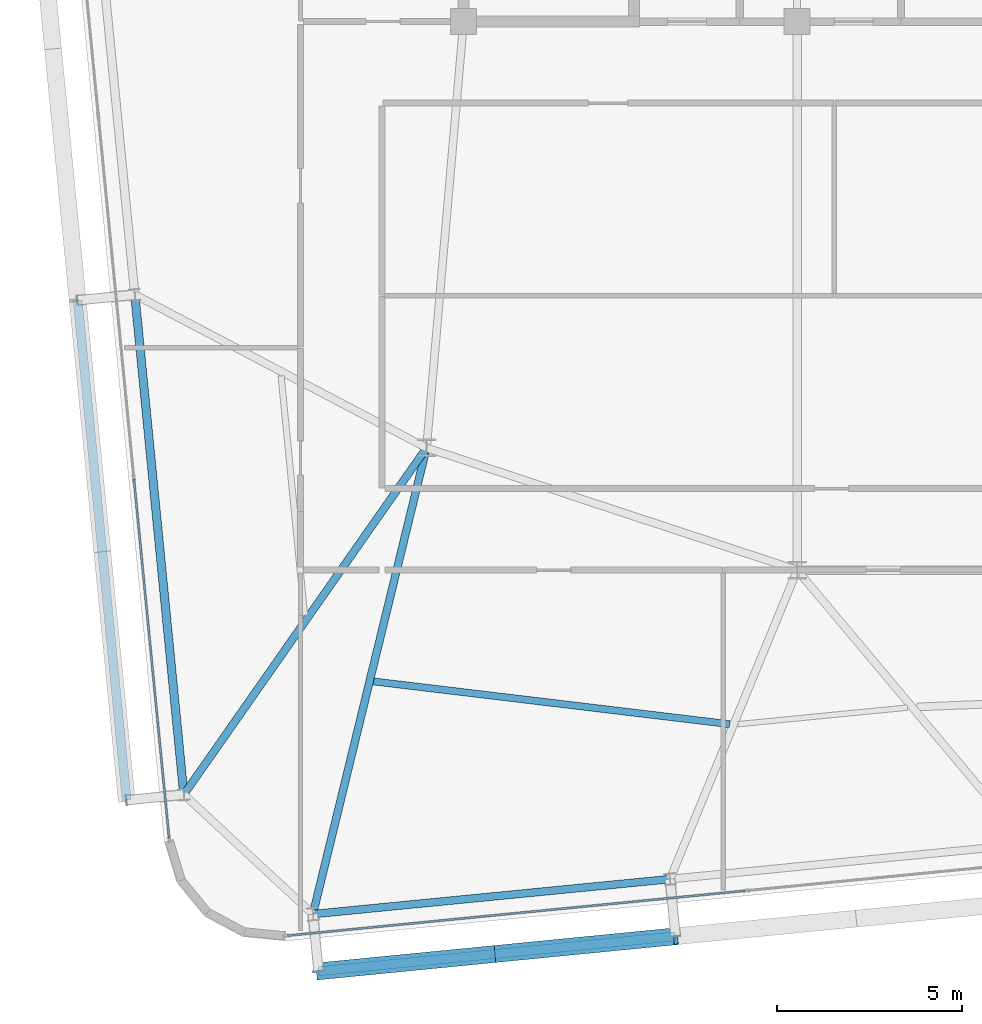
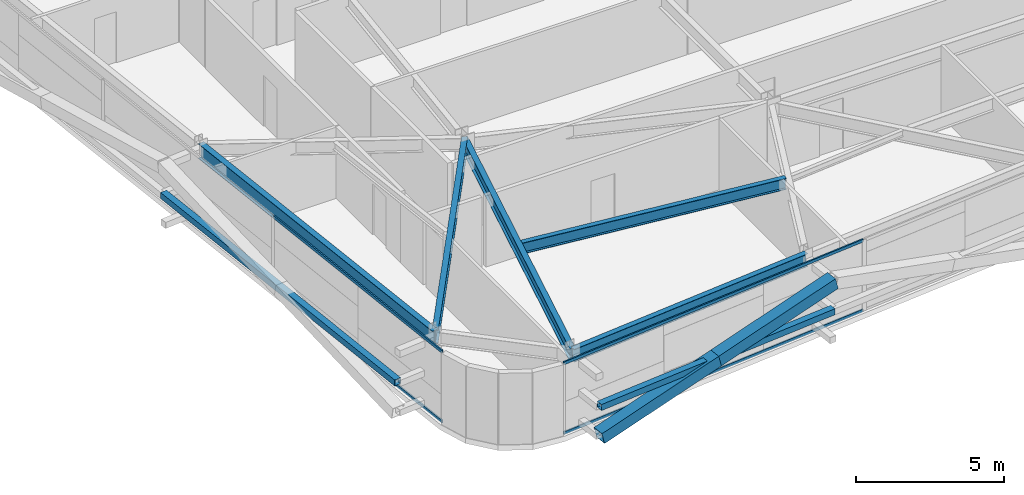
# One storey, part 6 of 47: 8 members, 5 beams, 2 elements without a shape of their own.
"""IFC4 building model written with IfcOpenShell, lengths in metres."""

from ifc_helpers import new_model, si_unit, direction, frame, origin, origin_2d, place, context, subcontext, project, spatial, hollow_rectangle, i_section, extrude, source, transform, mapped, material, layer, layer_set, material_profile, profile_set, type_object, element, aggregate, save


model = new_model("IFC4")

# Units and contexts
model_context = context("Model", 3, precision=1e-05, world=origin(), true_north=direction((0.0, 1.0)))
body_context = subcontext(model_context, "Body", "Model", "MODEL_VIEW")
ifc_project = project(units=[si_unit("LENGTHUNIT", "METRE"), si_unit("AREAUNIT", "SQUARE_METRE"), si_unit("VOLUMEUNIT", "CUBIC_METRE"), si_unit("PLANEANGLEUNIT", "RADIAN"), si_unit("MASSUNIT", "GRAM", prefix="KILO")], contexts=[model_context])

# Site, building, storey
site_placement = place(None, origin())
site = spatial("IfcSite", under=ifc_project, at=site_placement, CompositionType="ELEMENT")
building_placement = place(site_placement, origin())
building = spatial("IfcBuilding", under=site, at=building_placement, Name="Taldren Reach Tower", CompositionType="ELEMENT")
storey_placement = place(building_placement, frame((0.0, 0.0, 87.14990234375)))
storey = spatial("IfcBuildingStorey", under=building, at=storey_placement, Name="L26", CompositionType="ELEMENT", Elevation=87.14990234375)

# Beams
ifc_material_1 = material(Name="Steel Gr 350 (350PLUS)", Category="steel")
ifc_material_profile_1 = material_profile(ifc_material_1, i_section(OverallWidth=0.208984375, OverallDepth=0.528076171875, WebThickness=0.009521484375, FlangeThickness=0.01318359375, at=origin_2d()), Name="530UB82.0")
ifc_profile_set_1 = profile_set([ifc_material_profile_1], Name="Steel Gr 350 (350PLUS)")
beam_type_1 = type_object("IfcBeamType", Name="SP-UB530B", PredefinedType="SPANDREL", material=ifc_profile_set_1)
shared_shape_1 = source(origin(), body_context, "Body", "SweptSolid", [
    extrude(i_section(OverallWidth=0.208984375, OverallDepth=0.528076171875, WebThickness=0.009521484375, FlangeThickness=0.01318359375, at=origin_2d()), origin(), (0.0, 0.0, 1.0), 9.679931640625),
])
beam_1_placement = place(storey_placement, frame((14.93408203125, -0.079833984375, 2.666015625), z_axis=(0.995227612658, 0.097580730699, 0.0), x_axis=(-0.097580730699, 0.995227612658, 0.0)))
element("IfcBeam", 1, at=beam_1_placement, inside=storey, type_object=beam_type_1, Name="Perimeter spandrel B2 S1-S2 L26", PredefinedType="SPANDREL", context=body_context, shape_type="MappedRepresentation", body=[
    mapped(shared_shape_1, transform((0.0, 0.0, 0.0), scale=1.0)),
])
ifc_material_profile_2 = material_profile(ifc_material_1, i_section(OverallWidth=0.22802734375, OverallDepth=0.60205078125, WebThickness=0.010498046875, FlangeThickness=0.014892578125, at=origin_2d()), Name="610UB101")
ifc_profile_set_2 = profile_set([ifc_material_profile_2], Name="Steel Gr 350 (350PLUS)")
beam_type_2 = type_object("IfcBeamType", Name="BM-UB610B", PredefinedType="BEAM", material=ifc_profile_set_2)
shared_shape_2 = source(origin(), body_context, "Body", "SweptSolid", [
    extrude(i_section(OverallWidth=0.22802734375, OverallDepth=0.60205078125, WebThickness=0.010498046875, FlangeThickness=0.014892578125, at=origin_2d()), origin(), (0.0, 0.0, 1.0), 13.550048828125),
])
beam_2_placement = place(storey_placement, frame((10.130615234375, 16.631103515625, 2.629150390625), z_axis=(0.097584021339, -0.995227290009, 0.0), x_axis=(0.995227290009, 0.097584021339, 0.0)))
element("IfcBeam", 2, at=beam_2_placement, inside=storey, type_object=beam_type_2, Name="Perimeter gable girder B2 W2-W1 L26", PredefinedType="BEAM", context=body_context, shape_type="MappedRepresentation", body=[
    mapped(shared_shape_2, transform((0.0, 0.0, 0.0), scale=1.0)),
])
ifc_material_profile_3 = material_profile(ifc_material_1, i_section(OverallWidth=0.208984375, OverallDepth=0.532958984375, WebThickness=0.01025390625, FlangeThickness=0.015625, at=origin_2d()), Name="530UB92.4")
ifc_profile_set_3 = profile_set([ifc_material_profile_3], Name="Steel Gr 350 (350PLUS)")
beam_type_3 = type_object("IfcBeamType", Name="BM-UB530A", PredefinedType="BEAM", material=ifc_profile_set_3)
shared_shape_3 = source(origin(), body_context, "Body", "SweptSolid", [
    extrude(i_section(OverallWidth=0.208984375, OverallDepth=0.532958984375, WebThickness=0.01025390625, FlangeThickness=0.015625, at=origin_2d()), origin(), (0.0, 0.0, 1.0), 12.947998046875),
])
beam_3_placement = place(storey_placement, frame((18.0, 12.5, 2.66357421875), z_axis=(-0.236786022782, -0.971561824803, 0.0), x_axis=(0.971561824803, -0.236786022782, 0.0)))
element("IfcBeam", 3, at=beam_3_placement, inside=storey, type_object=beam_type_3, Name="Primary floor girder B2-S1 L26", PredefinedType="BEAM", context=body_context, shape_type="MappedRepresentation", body=[
    mapped(shared_shape_3, transform((0.0, 0.0, 0.0), scale=1.0)),
])
shared_shape_4 = source(origin(), body_context, "Body", "SweptSolid", [
    extrude(i_section(OverallWidth=0.208984375, OverallDepth=0.532958984375, WebThickness=0.01025390625, FlangeThickness=0.015625, at=origin_2d()), origin(), (0.0, 0.0, 1.0), 11.417724609375),
])
beam_4_placement = place(storey_placement, frame((18.0, 12.5, 2.66357421875), z_axis=(-0.573412116146, -0.819267077977, 0.0), x_axis=(0.819267077977, -0.573412116146, 0.0)))
element("IfcBeam", 4, at=beam_4_placement, inside=storey, type_object=beam_type_3, Name="Primary floor girder B2-W1 L26", PredefinedType="BEAM", context=body_context, shape_type="MappedRepresentation", body=[
    mapped(shared_shape_4, transform((0.0, 0.0, 0.0), scale=1.0)),
])
ifc_material_profile_4 = material_profile(ifc_material_1, i_section(OverallWidth=0.19091796875, OverallDepth=0.4599609375, WebThickness=0.010009765625, FlangeThickness=0.01611328125, at=origin_2d()), Name="460UB82.1")
ifc_profile_set_4 = profile_set([ifc_material_profile_4], Name="Steel Gr 350 (350PLUS)")
beam_type_4 = type_object("IfcBeamType", Name="BM-UB460A", PredefinedType="BEAM", material=ifc_profile_set_4)
shared_shape_5 = source(origin(), body_context, "Body", "SweptSolid", [
    extrude(i_section(OverallWidth=0.19091796875, OverallDepth=0.4599609375, WebThickness=0.010009765625, FlangeThickness=0.01611328125, at=origin_2d()), origin(), (0.0, 0.0, 1.0), 9.673583984375),
])
beam_5_placement = place(storey_placement, frame((16.571533203125, 6.197509765625, 2.7001953125), z_axis=(0.992879584922, -0.119122331431, 0.0), x_axis=(0.119122331431, 0.992879584922, 0.0)))
element("IfcBeam", 5, at=beam_5_placement, inside=storey, type_object=beam_type_4, Name="Secondary floor beam B2 J1 L26", PredefinedType="BEAM", context=body_context, shape_type="MappedRepresentation", body=[
    mapped(shared_shape_5, transform((0.0, 0.0, 0.0), scale=1.0)),
])

# Members
ifc_material_2 = material(Name="Steel Gr 450 (C450L0)", Category="steel")
ifc_material_profile_5 = material_profile(ifc_material_2, hollow_rectangle(XDim=0.4599609375, YDim=0.4599609375, WallThickness=0.01611328125, at=origin_2d()), Name="460x460x16.0SHS")
ifc_profile_set_5 = profile_set([ifc_material_profile_5], Name="Steel Gr 450 (C450L0)")
member_type_1 = type_object("IfcMemberType", Name="MB-EXO457", PredefinedType="BRACE", material=ifc_profile_set_5)
shared_shape_6 = source(origin(), body_context, "Body", "SweptSolid", [
    extrude(hollow_rectangle(XDim=0.4599609375, YDim=0.4599609375, WallThickness=0.01611328125, at=origin_2d()), origin(), (0.0, 0.0, 1.0), 4.990234375),
])
for number, where, z_axis, x_axis, name in (
    (6, (15.08544921875, -1.62255859375, 0.22021484375), (0.965282554799, 0.094669120301, 0.243448859234), (-0.097605711627, 0.995225162995, 0.0), "Exoskeleton Diagrid Brace B2-S1 L26"),
    (7, (19.90234375, -1.150146484375, 1.43505859375), (0.965275526283, 0.094619506732, 0.243496010862), (-0.097555749586, 0.995230061706, 0.0), "Exoskeleton Diagrid Brace B2-S1 L26"),
):
    element("IfcMember", number, at=place(storey_placement, frame(where, z_axis=z_axis, x_axis=x_axis)), inside=storey, type_object=member_type_1, Name=name, PredefinedType="BRACE", context=body_context, shape_type="MappedRepresentation", body=[
        mapped(shared_shape_6, transform((0.0, 0.0, 0.0), scale=1.0)),
    ])
ifc_material_3 = material(Name="Steel Gr 350 (C350L0)", Category="steel")
ifc_material_profile_6 = material_profile(ifc_material_3, hollow_rectangle(XDim=0.25, YDim=0.25, WallThickness=0.010009765625, at=origin_2d()), Name="250x250x10.0SHS")
ifc_profile_set_6 = profile_set([ifc_material_profile_6], Name="Steel Gr 350 (C350L0)")
member_type_2 = type_object("IfcMemberType", Name="MB-POST250", PredefinedType="POST", material=ifc_profile_set_6)
shared_shape_7 = source(origin(), body_context, "Body", "SweptSolid", [
    extrude(hollow_rectangle(XDim=0.25, YDim=0.25, WallThickness=0.010009765625, at=origin_2d()), origin(), (0.0, 0.0, 1.0), 9.679931640625),
])
member_1_placement = place(storey_placement, frame((15.08544921875, -1.62255859375, 1.43505859375), z_axis=(0.995227612658, 0.097580730699, 0.0), x_axis=(-0.097580730699, 0.995227612658, 0.0)))
element("IfcMember", 8, at=member_1_placement, inside=storey, type_object=member_type_2, Name="Exoskeleton mid-height ring chord B2-S1 L26", PredefinedType="POST", context=body_context, shape_type="MappedRepresentation", body=[
    mapped(shared_shape_7, transform((0.0, 0.0, 0.0), scale=1.0)),
])
shared_shape_8 = source(origin(), body_context, "Body", "SweptSolid", [
    extrude(hollow_rectangle(XDim=0.25, YDim=0.25, WallThickness=0.010009765625, at=origin_2d()), origin(), (0.0, 0.0, 1.0), 13.5498046875),
])
member_2_placement = place(storey_placement, frame((9.91015625, 2.99462890625, 1.43505859375), z_axis=(-0.097585771221, 0.995227118428, 0.0), x_axis=(-0.995227118428, -0.097585771221, 0.0)))
element("IfcMember", 9, at=member_2_placement, inside=storey, type_object=member_type_2, Name="Exoskeleton mid-height ring chord B2-W1 L26", PredefinedType="POST", context=body_context, shape_type="MappedRepresentation", body=[
    mapped(shared_shape_8, transform((0.0, 0.0, 0.0), scale=1.0)),
])

# Curtain wall, members
ifc_material_4 = material(Name="Aluminium and Low-E Glass Unitised System", Category="aluminium")
ifc_layer = layer(ifc_material_4, 0.159912109375)
ifc_layer_set = layer_set([ifc_layer], Name="Aluminium and Low-E Glass Unitised System")
curtain_wall_type = type_object("IfcCurtainWallType", Name="CW-SYS-3", PredefinedType="NOTDEFINED", material=ifc_layer_set)
curtain_wall_1_placement = place(storey_placement, origin())
curtain_wall_1 = element("IfcCurtainWall", 10, at=curtain_wall_1_placement, inside=storey, type_object=curtain_wall_type, Name="Unitised curtain wall CW-L26-S", PredefinedType="NOTDEFINED")
ifc_material_5 = material(Name="Anodised Aluminium 6063-T6", Category="aluminium")
ifc_material_profile_7 = material_profile(ifc_material_5, hollow_rectangle(XDim=0.054931640625, YDim=0.1201171875, WallThickness=0.0029296875, at=origin_2d()), Name="ALU-120x55x3RHS")
ifc_profile_set_7 = profile_set([ifc_material_profile_7], Name="Anodised Aluminium 6063-T6")
member_type_3 = type_object("IfcMemberType", Name="CW-TRN-135", PredefinedType="USERDEFINED", material=ifc_profile_set_7)
shared_shape_9 = source(origin(), body_context, "Body", "SweptSolid", [
    extrude(hollow_rectangle(XDim=0.054931640625, YDim=0.1201171875, WallThickness=0.0029296875, at=origin_2d()), origin(), (0.0, 0.0, 1.0), 12.40234375),
])
member_3_placement = place(storey_placement, frame((14.25244140625, -0.6591796875, 0.027587890625), z_axis=(0.995227887927, 0.097577923186, 0.0), x_axis=(-0.097577923186, 0.995227887927, 0.0)))
member_3 = element("IfcMember", 11, at=member_3_placement, type_object=member_type_3, Name="CW-3 transom 1.1", ObjectType="TRANSOM", PredefinedType="USERDEFINED", context=body_context, shape_type="MappedRepresentation", body=[
    mapped(shared_shape_9, transform((0.0, 0.0, 0.0), scale=1.0)),
])
member_4_placement = place(storey_placement, frame((14.25244140625, -0.6591796875, 2.902587890625), z_axis=(0.995227887927, 0.097577923186, 0.0), x_axis=(-0.097577923186, 0.995227887927, 0.0)))
member_4 = element("IfcMember", 12, at=member_4_placement, type_object=member_type_3, Name="CW-3 transom 1.2", ObjectType="TRANSOM", PredefinedType="USERDEFINED", context=body_context, shape_type="MappedRepresentation", body=[
    mapped(shared_shape_9, transform((0.0, 0.0, 0.0), scale=1.0)),
])
aggregate(curtain_wall_1, [member_3, member_4])

curtain_wall_2_placement = place(storey_placement, origin())
curtain_wall_2 = element("IfcCurtainWall", 13, at=curtain_wall_2_placement, inside=storey, type_object=curtain_wall_type, Name="Unitised curtain wall CW-L26-W", PredefinedType="NOTDEFINED")
shared_shape_10 = source(origin(), body_context, "Body", "SweptSolid", [
    extrude(hollow_rectangle(XDim=0.054931640625, YDim=0.1201171875, WallThickness=0.0029296875, at=origin_2d()), origin(), (0.0, 0.0, 1.0), 9.73583984375),
])
member_5_placement = place(storey_placement, frame((10.10595703125, 11.65576171875, 0.027587890625), z_axis=(0.097571911043, -0.995228477374, 0.0), x_axis=(0.995228477374, 0.097571911043, 0.0)))
member_5 = element("IfcMember", 14, at=member_5_placement, type_object=member_type_3, Name="CW-3 transom 3.1", ObjectType="TRANSOM", PredefinedType="USERDEFINED", context=body_context, shape_type="MappedRepresentation", body=[
    mapped(shared_shape_10, transform((0.0, 0.0, 0.0), scale=1.0)),
])
member_6_placement = place(storey_placement, frame((10.10595703125, 11.65576171875, 2.902587890625), z_axis=(0.097571911043, -0.995228477374, 0.0), x_axis=(0.995228477374, 0.097571911043, 0.0)))
member_6 = element("IfcMember", 15, at=member_6_placement, type_object=member_type_3, Name="CW-3 transom 3.2", ObjectType="TRANSOM", PredefinedType="USERDEFINED", context=body_context, shape_type="MappedRepresentation", body=[
    mapped(shared_shape_10, transform((0.0, 0.0, 0.0), scale=1.0)),
])
aggregate(curtain_wall_2, [member_5, member_6])

save(model, "model.ifc")
